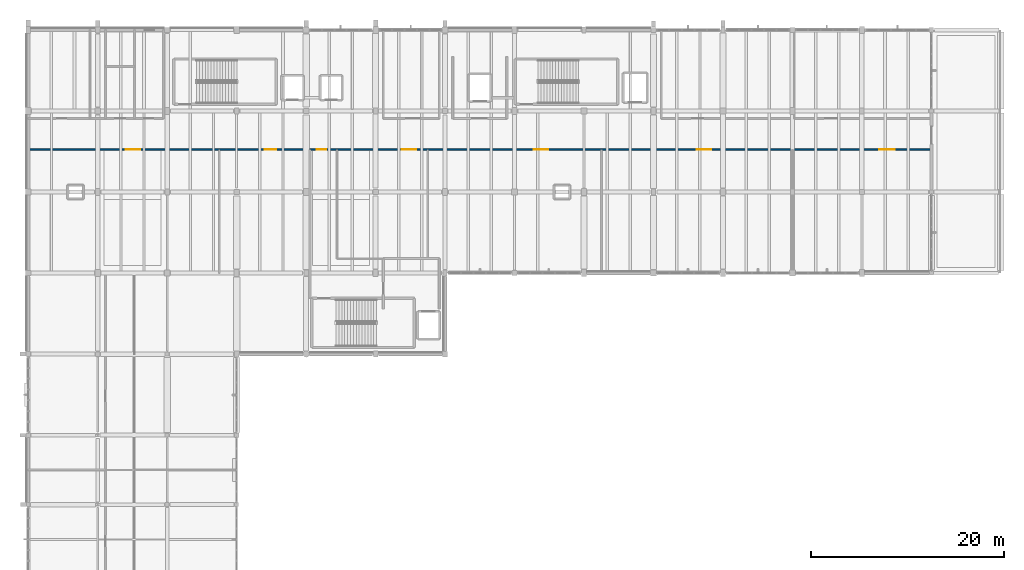
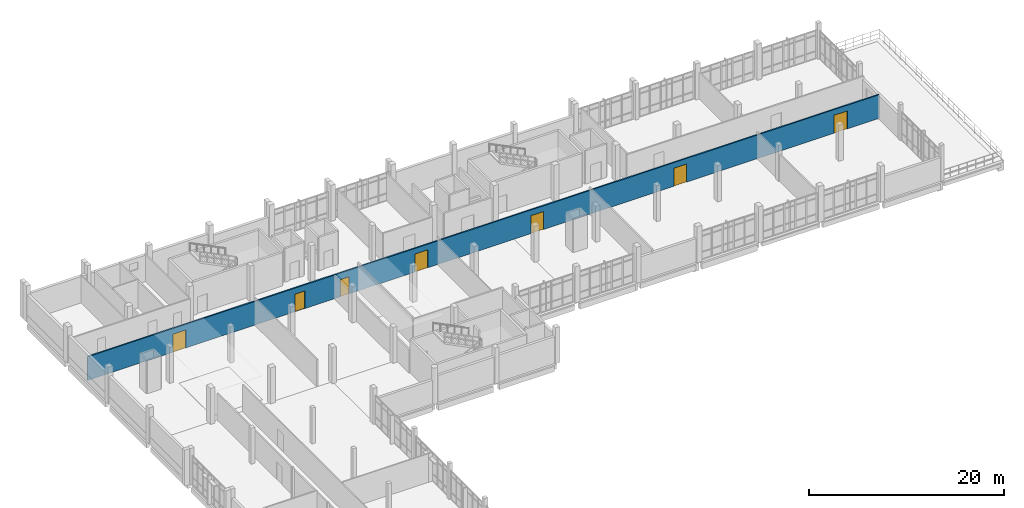
# One storey, part 54 of 62: 7 doors, 1 wall, 7 openings.
"""IFC4 building model written with IfcOpenShell, lengths in metres."""

from ifc_helpers import new_model, si_unit, direction, frame, frame_2d, origin, place, context, subcontext, project, spatial, rectangle, extrude, material, layer, layer_set, type_object, element, fill, save


model = new_model("IFC4")

# Units and contexts
model_context = context("Model", 3, precision=1e-05, world=origin(), true_north=direction((0.0, 1.0)))
body_context = subcontext(model_context, "Body", "Model", "MODEL_VIEW")
ifc_project = project(units=[si_unit("LENGTHUNIT", "METRE"), si_unit("AREAUNIT", "SQUARE_METRE"), si_unit("VOLUMEUNIT", "CUBIC_METRE"), si_unit("PLANEANGLEUNIT", "RADIAN"), si_unit("MASSUNIT", "GRAM", prefix="KILO")], contexts=[model_context])

# Site, building, storey
site_placement = place(None, origin())
site = spatial("IfcSite", under=ifc_project, at=site_placement, CompositionType="ELEMENT")
building_placement = place(site_placement, origin())
building = spatial("IfcBuilding", under=site, at=building_placement, Name="Kalluvel Institute of Natural Sciences", CompositionType="ELEMENT")
storey_placement = place(building_placement, frame((0.0, 0.0, 27.89990234375)))
storey = spatial("IfcBuildingStorey", under=building, at=storey_placement, Name="L06", CompositionType="ELEMENT", Elevation=27.89990234375)

# Wall, openings, doors
ifc_material_1 = material(Name="Autoclaved Aerated Concrete Masonry Block", Category="masonry")
ifc_layer = layer(ifc_material_1, 0.159912109375)
ifc_layer_set = layer_set([ifc_layer], Name="Autoclaved Aerated Concrete Masonry Block")
wall_type = type_object("IfcWallType", Name="WL-PART-160", PredefinedType="PARTITIONING", material=ifc_layer_set)
wall_placement = place(storey_placement, frame((14.0, 115.60009765625, 0.0), z_axis=(0.0, 0.0, 1.0), x_axis=(1.0, 0.0, 0.0)))
wall = element("IfcWall", 1, at=wall_placement, inside=storey, type_object=wall_type, Name="L06 interior partition wall WL-INT-L06-0295", PredefinedType="PARTITIONING", context=body_context, shape_type="SweptSolid", body=[
    extrude(rectangle(XDim=93.60009765625, YDim=0.159912109375, at=frame_2d((46.800048828125, 0.0))), origin(), (0.0, 0.0, 1.0), 2.960205078125),
])
opening_1_placement = place(wall_placement, frame((29.89990234375, 0.0, 0.0)))
opening_1 = element("IfcOpeningElement", 2, at=opening_1_placement, cuts=wall, Name="Opening D-221", PredefinedType="OPENING", context=body_context, shape_type="SweptSolid", body=[
    extrude(rectangle(XDim=1.0, YDim=2.14990234375, at=frame_2d((0.5, 1.074951171875))), frame((0.0, 0.08984375, 0.0), z_axis=(0.0, -1.0, 0.0), x_axis=(1.0, 0.0, 0.0)), (0.0, 0.0, 1.0), 0.179931640625),
])
opening_2_placement = place(wall_placement, frame((10.10009765625, 0.0, 0.0)))
opening_2 = element("IfcOpeningElement", 3, at=opening_2_placement, cuts=wall, Name="Opening D-222", PredefinedType="OPENING", context=body_context, shape_type="SweptSolid", body=[
    extrude(rectangle(XDim=1.5, YDim=2.25, at=frame_2d((0.75, 1.125))), frame((0.0, 0.08984375, 0.0), z_axis=(0.0, -1.0, 0.0), x_axis=(1.0, 0.0, 0.0)), (0.0, 0.0, 1.0), 0.179931640625),
])
opening_3_placement = place(wall_placement, frame((24.5, 0.0, 0.0)))
opening_3 = element("IfcOpeningElement", 4, at=opening_3_placement, cuts=wall, Name="Opening D-223", PredefinedType="OPENING", context=body_context, shape_type="SweptSolid", body=[
    extrude(rectangle(XDim=1.179931640625, YDim=2.199951171875, at=frame_2d((0.58984375, 1.10009765625))), frame((0.0, 0.08984375, 0.0), z_axis=(0.0, -1.0, 0.0), x_axis=(1.0, 0.0, 0.0)), (0.0, 0.0, 1.0), 0.179931640625),
])
opening_4_placement = place(wall_placement, frame((38.699951171875, 0.0, 0.0)))
opening_4 = element("IfcOpeningElement", 5, at=opening_4_placement, cuts=wall, Name="Opening D-224", PredefinedType="OPENING", context=body_context, shape_type="SweptSolid", body=[
    extrude(rectangle(XDim=1.5, YDim=2.25, at=frame_2d((0.75, 1.125))), frame((0.0, 0.08984375, 0.0), z_axis=(0.0, -1.0, 0.0), x_axis=(1.0, 0.0, 0.0)), (0.0, 0.0, 1.0), 0.179931640625),
])
opening_5_placement = place(wall_placement, frame((52.39990234375, 0.0, 0.0)))
opening_5 = element("IfcOpeningElement", 6, at=opening_5_placement, cuts=wall, Name="Opening D-225", PredefinedType="OPENING", context=body_context, shape_type="SweptSolid", body=[
    extrude(rectangle(XDim=1.5, YDim=2.25, at=frame_2d((0.75, 1.125))), frame((0.0, 0.08984375, 0.0), z_axis=(0.0, -1.0, 0.0), x_axis=(1.0, 0.0, 0.0)), (0.0, 0.0, 1.0), 0.179931640625),
])
opening_6_placement = place(wall_placement, frame((69.300048828125, 0.0, 0.0)))
opening_6 = element("IfcOpeningElement", 7, at=opening_6_placement, cuts=wall, Name="Opening D-226", PredefinedType="OPENING", context=body_context, shape_type="SweptSolid", body=[
    extrude(rectangle(XDim=1.5, YDim=2.25, at=frame_2d((0.75, 1.125))), frame((0.0, 0.08984375, 0.0), z_axis=(0.0, -1.0, 0.0), x_axis=(1.0, 0.0, 0.0)), (0.0, 0.0, 1.0), 0.179931640625),
])
opening_7_placement = place(wall_placement, frame((88.199951171875, 0.0, 0.0)))
opening_7 = element("IfcOpeningElement", 8, at=opening_7_placement, cuts=wall, Name="Opening D-227", PredefinedType="OPENING", context=body_context, shape_type="SweptSolid", body=[
    extrude(rectangle(XDim=1.60009765625, YDim=2.25, at=frame_2d((0.800048828125, 1.125))), frame((0.0, 0.08984375, 0.0), z_axis=(0.0, -1.0, 0.0), x_axis=(1.0, 0.0, 0.0)), (0.0, 0.0, 1.0), 0.179931640625),
])
ifc_material_2 = material(Name="Aluminium AW-6063 T6", Category="aluminium")
door_type_1 = type_object("IfcDoorType", Name="DR-DBL-1600", OperationType="NOTDEFINED", PredefinedType="DOOR", material=ifc_material_2)
door_1_placement = place(opening_7_placement, origin())
door_1 = element("IfcDoor", 9, at=door_1_placement, inside=storey, type_object=door_type_1, Name="Faculty Research Colloquium and Seminar Hall door D-227", OperationType="DOUBLE_DOOR_SINGLE_SWING", OverallHeight=2.25, OverallWidth=1.60009765625, PredefinedType="DOOR", context=body_context, shape_type="SweptSolid", body=[
    extrude(rectangle(XDim=1.60009765625, YDim=2.25, at=frame_2d((0.800048828125, 1.125))), frame((0.0, 0.02490234375, 0.0), z_axis=(0.0, -1.0, 0.0), x_axis=(1.0, 0.0, 0.0)), (0.0, 0.0, 1.0), 0.050048828125),
])
fill(opening_7, door_1)
ifc_material_3 = material(Name="Engineered Hardwood Acoustic Leaf", Category="wood")
door_type_2 = type_object("IfcDoorType", Name="DR-INT-1000", OperationType="NOTDEFINED", PredefinedType="DOOR", material=ifc_material_3)
door_2_placement = place(opening_1_placement, origin())
door_2 = element("IfcDoor", 10, at=door_2_placement, inside=storey, type_object=door_type_2, Name="L06 Knuckle to Spine door D-221", OperationType="SINGLE_SWING_RIGHT", OverallHeight=2.14990234375, OverallWidth=1.0, PredefinedType="DOOR", context=body_context, shape_type="SweptSolid", body=[
    extrude(rectangle(XDim=1.0, YDim=2.14990234375, at=frame_2d((0.5, 1.074951171875))), frame((0.0, 0.02490234375, 0.0), z_axis=(0.0, -1.0, 0.0), x_axis=(1.0, 0.0, 0.0)), (0.0, 0.0, 1.0), 0.050048828125),
])
fill(opening_1, door_2)
door_type_3 = type_object("IfcDoorType", Name="DR-INT-1180", OperationType="NOTDEFINED", PredefinedType="DOOR", material=ifc_material_3)
door_3_placement = place(opening_3_placement, origin())
door_3 = element("IfcDoor", 11, at=door_3_placement, inside=storey, type_object=door_type_3, Name="Cryo-Electron Tomography Wet Laboratory door D-223", OperationType="SINGLE_SWING_RIGHT", OverallHeight=2.199951171875, OverallWidth=1.179931640625, PredefinedType="DOOR", context=body_context, shape_type="SweptSolid", body=[
    extrude(rectangle(XDim=1.179931640625, YDim=2.199951171875, at=frame_2d((0.58984375, 1.10009765625))), frame((0.0, 0.02490234375, 0.0), z_axis=(0.0, -1.0, 0.0), x_axis=(1.0, 0.0, 0.0)), (0.0, 0.0, 1.0), 0.050048828125),
])
fill(opening_3, door_3)
door_type_4 = type_object("IfcDoorType", Name="DR-LAB-1500", OperationType="NOTDEFINED", PredefinedType="DOOR", material=ifc_material_2)
door_4_placement = place(opening_2_placement, origin())
door_4 = element("IfcDoor", 12, at=door_4_placement, inside=storey, type_object=door_type_4, Name="Biophysics Optical Tweezers Laboratory door D-222", OperationType="DOUBLE_DOOR_SINGLE_SWING", OverallHeight=2.25, OverallWidth=1.5, PredefinedType="DOOR", context=body_context, shape_type="SweptSolid", body=[
    extrude(rectangle(XDim=1.5, YDim=2.25, at=frame_2d((0.75, 1.125))), frame((0.0, 0.02490234375, 0.0), z_axis=(0.0, -1.0, 0.0), x_axis=(1.0, 0.0, 0.0)), (0.0, 0.0, 1.0), 0.050048828125),
])
fill(opening_2, door_4)
door_5_placement = place(opening_4_placement, origin())
door_5 = element("IfcDoor", 13, at=door_5_placement, inside=storey, type_object=door_type_4, Name="Single-Particle Cryo-EM Specimen Laboratory door D-224", OperationType="DOUBLE_DOOR_SINGLE_SWING", OverallHeight=2.25, OverallWidth=1.5, PredefinedType="DOOR", context=body_context, shape_type="SweptSolid", body=[
    extrude(rectangle(XDim=1.5, YDim=2.25, at=frame_2d((0.75, 1.125))), frame((0.0, 0.02490234375, 0.0), z_axis=(0.0, -1.0, 0.0), x_axis=(1.0, 0.0, 0.0)), (0.0, 0.0, 1.0), 0.050048828125),
])
fill(opening_4, door_5)
door_6_placement = place(opening_5_placement, origin())
door_6 = element("IfcDoor", 14, at=door_6_placement, inside=storey, type_object=door_type_4, Name="Soft Matter Microfluidics Wet Laboratory door D-225", OperationType="DOUBLE_DOOR_SINGLE_SWING", OverallHeight=2.25, OverallWidth=1.5, PredefinedType="DOOR", context=body_context, shape_type="SweptSolid", body=[
    extrude(rectangle(XDim=1.5, YDim=2.25, at=frame_2d((0.75, 1.125))), frame((0.0, 0.02490234375, 0.0), z_axis=(0.0, -1.0, 0.0), x_axis=(1.0, 0.0, 0.0)), (0.0, 0.0, 1.0), 0.050048828125),
])
fill(opening_5, door_6)
door_7_placement = place(opening_6_placement, origin())
door_7 = element("IfcDoor", 15, at=door_7_placement, inside=storey, type_object=door_type_4, Name="Bionanotechnology Wet Laboratory door D-226", OperationType="DOUBLE_DOOR_SINGLE_SWING", OverallHeight=2.25, OverallWidth=1.5, PredefinedType="DOOR", context=body_context, shape_type="SweptSolid", body=[
    extrude(rectangle(XDim=1.5, YDim=2.25, at=frame_2d((0.75, 1.125))), frame((0.0, 0.02490234375, 0.0), z_axis=(0.0, -1.0, 0.0), x_axis=(1.0, 0.0, 0.0)), (0.0, 0.0, 1.0), 0.050048828125),
])
fill(opening_6, door_7)

save(model, "model.ifc")
